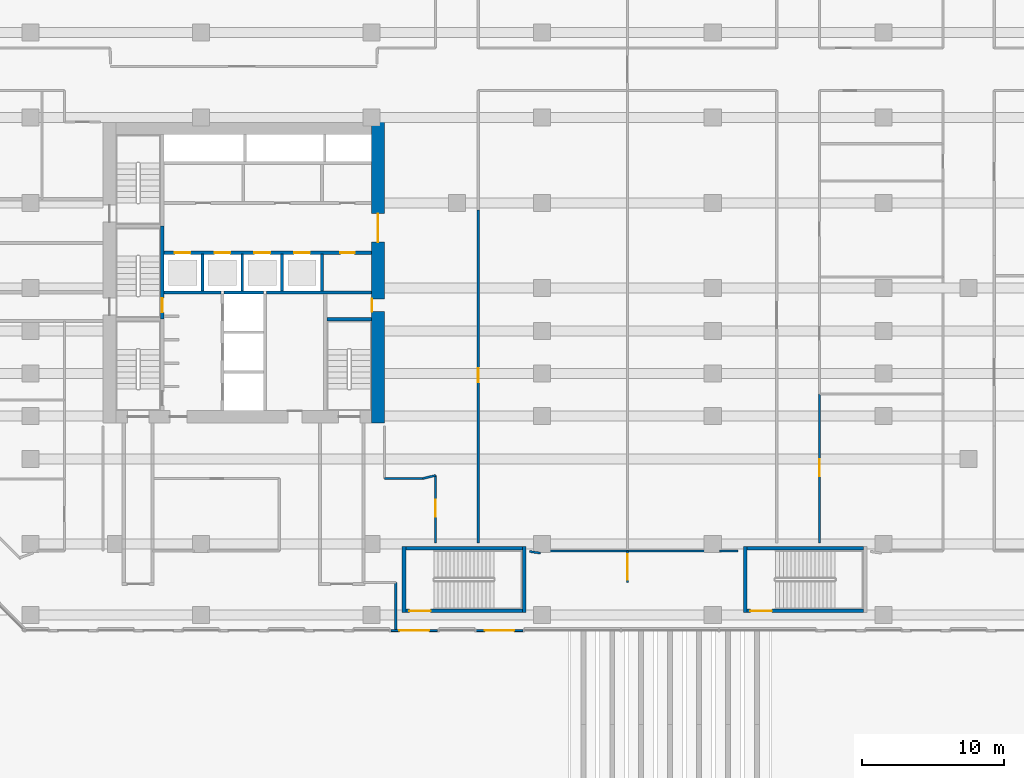
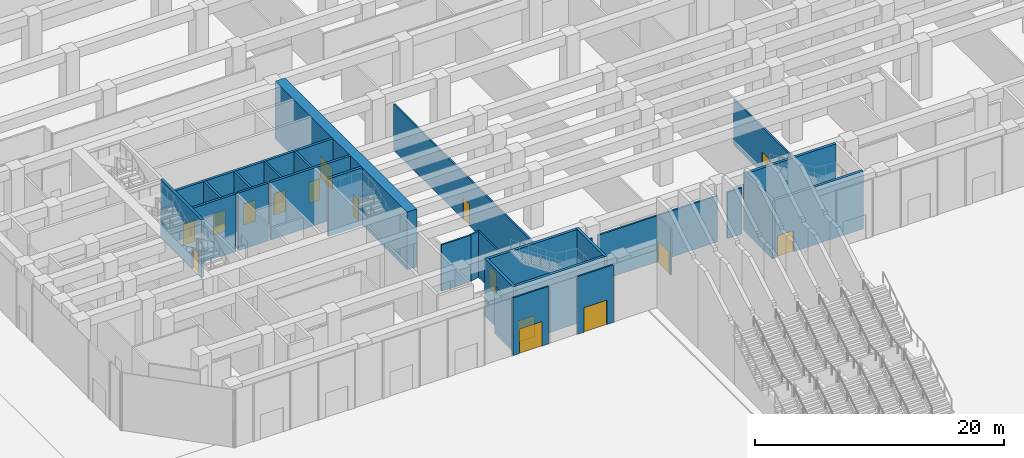
# One storey, part 18 of 32: 30 walls, 16 doors, 16 openings.
"""IFC4 building model written with IfcOpenShell, lengths in metres."""

from ifc_helpers import new_model, si_unit, direction, frame, frame_2d, origin, place, context, subcontext, project, spatial, rectangle, extrude, material, layer, layer_set, type_object, element, fill, save


model = new_model("IFC4")

# Units and contexts
model_context = context("Model", 3, precision=1e-05, world=origin(), true_north=direction((0.0, 1.0)))
body_context = subcontext(model_context, "Body", "Model", "MODEL_VIEW")
ifc_project = project(units=[si_unit("LENGTHUNIT", "METRE"), si_unit("AREAUNIT", "SQUARE_METRE"), si_unit("VOLUMEUNIT", "CUBIC_METRE"), si_unit("PLANEANGLEUNIT", "RADIAN"), si_unit("MASSUNIT", "GRAM", prefix="KILO")], contexts=[model_context])

# Site, building, storey
site_placement = place(None, origin())
site = spatial("IfcSite", under=ifc_project, at=site_placement, CompositionType="ELEMENT")
building_placement = place(site_placement, origin())
building = spatial("IfcBuilding", under=site, at=building_placement, Name="Welwitschia Terrace Campus", CompositionType="ELEMENT")
storey_placement = place(building_placement, origin())
storey = spatial("IfcBuildingStorey", under=building, at=storey_placement, Name="L00", CompositionType="ELEMENT", Elevation=0.0)

# Wall, opening, door
ifc_material_1 = material(Name="Concrete C40/50", Category="concrete")
ifc_layer_1 = layer(ifc_material_1, 0.139892578125)
ifc_layer_set_1 = layer_set([ifc_layer_1], Name="Concrete C40/50")
wall_type_1 = type_object("IfcWallType", Name="Clad wall 140", PredefinedType="SOLIDWALL", material=ifc_layer_set_1)
wall_1_placement = place(storey_placement, frame((25.35009765625, -10.0849609375, 0.0), z_axis=(0.0, 0.0, 1.0), x_axis=(1.0, 0.0, 0.0)))
wall_1 = element("IfcWall", 1, at=wall_1_placement, inside=storey, type_object=wall_type_1, Name="Clad wall L00.entrance S5", PredefinedType="SOLIDWALL", context=body_context, shape_type="SweptSolid", body=[
    extrude(rectangle(XDim=3.2998046875, YDim=0.139892578125, at=frame_2d((1.64990234375, 0.0))), origin(), (0.0, 0.0, 1.0), 5.64990234375),
])
opening_1_placement = place(wall_1_placement, frame((0.60009765625, 0.0, 0.0)))
opening_1 = element("IfcOpeningElement", 2, at=opening_1_placement, cuts=wall_1, Name="Opening DE1", PredefinedType="OPENING", context=body_context, shape_type="SweptSolid", body=[
    extrude(rectangle(XDim=2.10009765625, YDim=2.39990234375, at=frame_2d((1.050048828125, 1.199951171875))), frame((0.0, 0.079833984375, 0.0), z_axis=(0.0, -1.0, 0.0), x_axis=(1.0, 0.0, 0.0)), (0.0, 0.0, 1.0), 0.159912109375),
])
ifc_material_2 = material(Name="Bronze anodised aluminium and glass", Category="aluminium")
door_type_1 = type_object("IfcDoorType", Name="Entrance door 2100x2400", OperationType="DOUBLE_DOOR_DOUBLE_SWING", PredefinedType="DOOR", material=ifc_material_2)
door_1_placement = place(opening_1_placement, origin())
door_1 = element("IfcDoor", 3, at=door_1_placement, inside=storey, type_object=door_type_1, Name="Entrance door S5", OperationType="DOUBLE_DOOR_DOUBLE_SWING", OverallHeight=2.39990234375, OverallWidth=2.10009765625, PredefinedType="DOOR", context=body_context, shape_type="SweptSolid", body=[
    extrude(rectangle(XDim=2.10009765625, YDim=2.39990234375, at=frame_2d((1.050048828125, 1.199951171875))), frame((0.0, 0.02490234375, 0.0), z_axis=(0.0, -1.0, 0.0), x_axis=(1.0, 0.0, 0.0)), (0.0, 0.0, 1.0), 0.050048828125),
])
fill(opening_1, door_1)

wall_2_placement = place(storey_placement, frame((31.35009765625, -10.0849609375, 0.0), z_axis=(0.0, 0.0, 1.0), x_axis=(1.0, 0.0, 0.0)))
wall_2 = element("IfcWall", 4, at=wall_2_placement, inside=storey, type_object=wall_type_1, Name="Clad wall L00.entrance S6", PredefinedType="SOLIDWALL", context=body_context, shape_type="SweptSolid", body=[
    extrude(rectangle(XDim=3.2998046875, YDim=0.139892578125, at=frame_2d((1.64990234375, 0.0))), origin(), (0.0, 0.0, 1.0), 5.64990234375),
])
opening_2_placement = place(wall_2_placement, frame((0.60009765625, 0.0, 0.0)))
opening_2 = element("IfcOpeningElement", 5, at=opening_2_placement, cuts=wall_2, Name="Opening DE1", PredefinedType="OPENING", context=body_context, shape_type="SweptSolid", body=[
    extrude(rectangle(XDim=2.10009765625, YDim=2.39990234375, at=frame_2d((1.050048828125, 1.199951171875))), frame((0.0, 0.079833984375, 0.0), z_axis=(0.0, -1.0, 0.0), x_axis=(1.0, 0.0, 0.0)), (0.0, 0.0, 1.0), 0.159912109375),
])
door_2_placement = place(opening_2_placement, origin())
door_2 = element("IfcDoor", 6, at=door_2_placement, inside=storey, type_object=door_type_1, Name="Entrance door S6", OperationType="DOUBLE_DOOR_DOUBLE_SWING", OverallHeight=2.39990234375, OverallWidth=2.10009765625, PredefinedType="DOOR", context=body_context, shape_type="SweptSolid", body=[
    extrude(rectangle(XDim=2.10009765625, YDim=2.39990234375, at=frame_2d((1.050048828125, 1.199951171875))), frame((0.0, 0.02490234375, 0.0), z_axis=(0.0, -1.0, 0.0), x_axis=(1.0, 0.0, 0.0)), (0.0, 0.0, 1.0), 0.050048828125),
])
fill(opening_2, door_2)

# Walls
ifc_material_3 = material(Name="Concrete C32/40", Category="concrete")
ifc_layer_2 = layer(ifc_material_3, 0.22509765625)
ifc_layer_set_2 = layer_set([ifc_layer_2], Name="Concrete C32/40")
wall_type_2 = type_object("IfcWallType", Name="Core partition 225 Concrete C32/40", PredefinedType="PARTITIONING", material=ifc_layer_set_2)
wall_3_placement = place(storey_placement, frame((9.39990234375, 13.699951171875, 0.0), z_axis=(0.0, 0.0, 1.0), x_axis=(1.0, 0.0, 0.0)))
element("IfcWall", 7, at=wall_3_placement, inside=storey, type_object=wall_type_2, Name="Shaft wall", PredefinedType="PARTITIONING", context=body_context, shape_type="SweptSolid", body=[
    extrude(rectangle(XDim=4.0, YDim=0.22509765625, at=frame_2d((2.0, 0.0))), origin(), (0.0, 0.0, 1.0), 5.64990234375),
])
wall_4_placement = place(storey_placement, frame((16.60009765625, 13.699951171875, 0.0), z_axis=(0.0, 0.0, 1.0), x_axis=(1.0, 0.0, 0.0)))
element("IfcWall", 8, at=wall_4_placement, inside=storey, type_object=wall_type_2, Name="Shaft wall", PredefinedType="PARTITIONING", context=body_context, shape_type="SweptSolid", body=[
    extrude(rectangle(XDim=7.39990234375, YDim=0.22509765625, at=frame_2d((3.699951171875, 0.0))), origin(), (0.0, 0.0, 1.0), 5.64990234375),
])

# Wall, openings, doors
wall_5_placement = place(storey_placement, frame((9.39990234375, 16.5, 0.0), z_axis=(0.0, 0.0, 1.0), x_axis=(1.0, 0.0, 0.0)))
wall_5 = element("IfcWall", 9, at=wall_5_placement, inside=storey, type_object=wall_type_2, Name="Shaft wall", PredefinedType="PARTITIONING", context=body_context, shape_type="SweptSolid", body=[
    extrude(rectangle(XDim=14.60009765625, YDim=0.22509765625, at=frame_2d((7.300048828125, 0.0))), origin(), (0.0, 0.0, 1.0), 5.64990234375),
])
opening_3_placement = place(wall_5_placement, frame((0.75, 0.0, 0.0)))
opening_3 = element("IfcOpeningElement", 10, at=opening_3_placement, cuts=wall_5, Name="Opening LD", PredefinedType="OPENING", context=body_context, shape_type="SweptSolid", body=[
    extrude(rectangle(XDim=1.10009765625, YDim=2.10009765625, at=frame_2d((0.550048828125, 1.050048828125))), frame((0.0, 0.12255859375, 0.0), z_axis=(0.0, -1.0, 0.0), x_axis=(1.0, 0.0, 0.0)), (0.0, 0.0, 1.0), 0.2451171875),
])
opening_4_placement = place(wall_5_placement, frame((3.550048828125, 0.0, 0.0)))
opening_4 = element("IfcOpeningElement", 11, at=opening_4_placement, cuts=wall_5, Name="Opening LD", PredefinedType="OPENING", context=body_context, shape_type="SweptSolid", body=[
    extrude(rectangle(XDim=1.10009765625, YDim=2.10009765625, at=frame_2d((0.550048828125, 1.050048828125))), frame((0.0, 0.12255859375, 0.0), z_axis=(0.0, -1.0, 0.0), x_axis=(1.0, 0.0, 0.0)), (0.0, 0.0, 1.0), 0.2451171875),
])
opening_5_placement = place(wall_5_placement, frame((6.35009765625, 0.0, 0.0)))
opening_5 = element("IfcOpeningElement", 12, at=opening_5_placement, cuts=wall_5, Name="Opening LD", PredefinedType="OPENING", context=body_context, shape_type="SweptSolid", body=[
    extrude(rectangle(XDim=1.10009765625, YDim=2.10009765625, at=frame_2d((0.550048828125, 1.050048828125))), frame((0.0, 0.12255859375, 0.0), z_axis=(0.0, -1.0, 0.0), x_axis=(1.0, 0.0, 0.0)), (0.0, 0.0, 1.0), 0.2451171875),
])
opening_6_placement = place(wall_5_placement, frame((9.14990234375, 0.0, 0.0)))
opening_6 = element("IfcOpeningElement", 13, at=opening_6_placement, cuts=wall_5, Name="Opening LD", PredefinedType="OPENING", context=body_context, shape_type="SweptSolid", body=[
    extrude(rectangle(XDim=1.10009765625, YDim=2.10009765625, at=frame_2d((0.550048828125, 1.050048828125))), frame((0.0, 0.12255859375, 0.0), z_axis=(0.0, -1.0, 0.0), x_axis=(1.0, 0.0, 0.0)), (0.0, 0.0, 1.0), 0.2451171875),
])
opening_7_placement = place(wall_5_placement, frame((12.39990234375, 0.0, 0.0)))
opening_7 = element("IfcOpeningElement", 14, at=opening_7_placement, cuts=wall_5, Name="Opening DR10", PredefinedType="OPENING", context=body_context, shape_type="SweptSolid", body=[
    extrude(rectangle(XDim=1.0, YDim=2.10009765625, at=frame_2d((0.5, 1.050048828125))), frame((0.0, 0.12255859375, 0.0), z_axis=(0.0, -1.0, 0.0), x_axis=(1.0, 0.0, 0.0)), (0.0, 0.0, 1.0), 0.2451171875),
])
ifc_material_4 = material(Name="Steel S275", Category="steel")
door_type_2 = type_object("IfcDoorType", Name="Core door DR10", OperationType="SINGLE_SWING_LEFT", PredefinedType="DOOR", material=ifc_material_4)
door_3_placement = place(opening_7_placement, origin())
door_3 = element("IfcDoor", 15, at=door_3_placement, inside=storey, type_object=door_type_2, Name="Door EL-D", OperationType="SINGLE_SWING_RIGHT", OverallHeight=2.10009765625, OverallWidth=1.0, PredefinedType="DOOR", context=body_context, shape_type="SweptSolid", body=[
    extrude(rectangle(XDim=1.0, YDim=2.10009765625, at=frame_2d((0.5, 1.050048828125))), frame((0.0, 0.02490234375, 0.0), z_axis=(0.0, -1.0, 0.0), x_axis=(1.0, 0.0, 0.0)), (0.0, 0.0, 1.0), 0.050048828125),
])
fill(opening_7, door_3)
ifc_material_5 = material(Name="Stainless steel 304", Category="steel")
door_type_3 = type_object("IfcDoorType", Name="Lift landing door", OperationType="DOUBLE_DOOR_SLIDING", PredefinedType="DOOR", material=ifc_material_5)
door_4_placement = place(opening_3_placement, origin())
door_4 = element("IfcDoor", 16, at=door_4_placement, inside=storey, type_object=door_type_3, Name="Landing door LR1", OperationType="DOUBLE_DOOR_SLIDING", OverallHeight=2.10009765625, OverallWidth=1.10009765625, PredefinedType="DOOR", context=body_context, shape_type="SweptSolid", body=[
    extrude(rectangle(XDim=1.10009765625, YDim=2.10009765625, at=frame_2d((0.550048828125, 1.050048828125))), frame((0.0, 0.02490234375, 0.0), z_axis=(0.0, -1.0, 0.0), x_axis=(1.0, 0.0, 0.0)), (0.0, 0.0, 1.0), 0.050048828125),
])
fill(opening_3, door_4)
door_5_placement = place(opening_4_placement, origin())
door_5 = element("IfcDoor", 17, at=door_5_placement, inside=storey, type_object=door_type_3, Name="Landing door LR2", OperationType="DOUBLE_DOOR_SLIDING", OverallHeight=2.10009765625, OverallWidth=1.10009765625, PredefinedType="DOOR", context=body_context, shape_type="SweptSolid", body=[
    extrude(rectangle(XDim=1.10009765625, YDim=2.10009765625, at=frame_2d((0.550048828125, 1.050048828125))), frame((0.0, 0.02490234375, 0.0), z_axis=(0.0, -1.0, 0.0), x_axis=(1.0, 0.0, 0.0)), (0.0, 0.0, 1.0), 0.050048828125),
])
fill(opening_4, door_5)
door_6_placement = place(opening_5_placement, origin())
door_6 = element("IfcDoor", 18, at=door_6_placement, inside=storey, type_object=door_type_3, Name="Landing door LR3", OperationType="DOUBLE_DOOR_SLIDING", OverallHeight=2.10009765625, OverallWidth=1.10009765625, PredefinedType="DOOR", context=body_context, shape_type="SweptSolid", body=[
    extrude(rectangle(XDim=1.10009765625, YDim=2.10009765625, at=frame_2d((0.550048828125, 1.050048828125))), frame((0.0, 0.02490234375, 0.0), z_axis=(0.0, -1.0, 0.0), x_axis=(1.0, 0.0, 0.0)), (0.0, 0.0, 1.0), 0.050048828125),
])
fill(opening_5, door_6)
door_7_placement = place(opening_6_placement, origin())
door_7 = element("IfcDoor", 19, at=door_7_placement, inside=storey, type_object=door_type_3, Name="Landing door LR4", OperationType="DOUBLE_DOOR_SLIDING", OverallHeight=2.10009765625, OverallWidth=1.10009765625, PredefinedType="DOOR", context=body_context, shape_type="SweptSolid", body=[
    extrude(rectangle(XDim=1.10009765625, YDim=2.10009765625, at=frame_2d((0.550048828125, 1.050048828125))), frame((0.0, 0.02490234375, 0.0), z_axis=(0.0, -1.0, 0.0), x_axis=(1.0, 0.0, 0.0)), (0.0, 0.0, 1.0), 0.050048828125),
])
fill(opening_6, door_7)

# Walls
wall_6_placement = place(storey_placement, frame((20.5, 13.800048828125, 0.0), z_axis=(0.0, 0.0, 1.0), x_axis=(0.0, 1.0, 0.0)))
element("IfcWall", 20, at=wall_6_placement, inside=storey, type_object=wall_type_2, Name="Shaft wall", PredefinedType="PARTITIONING", context=body_context, shape_type="SweptSolid", body=[
    extrude(rectangle(XDim=2.599853515625, YDim=0.22509765625, at=frame_2d((1.2998046875, 0.0))), origin(), (0.0, 0.0, 1.0), 5.64990234375),
])
ifc_material_6 = material(Name="Concrete C50/60", Category="concrete")
ifc_layer_3 = layer(ifc_material_6, 0.199951171875)
ifc_layer_set_3 = layer_set([ifc_layer_3], Name="Concrete C50/60")
wall_type_3 = type_object("IfcWallType", Name="Core wall 200 Concrete C50/60", PredefinedType="SHEAR", material=ifc_layer_set_3)
wall_7_placement = place(storey_placement, frame((13.60009765625, 13.699951171875, 0.0), z_axis=(0.0, 0.0, 1.0), x_axis=(1.0, 0.0, 0.0)))
element("IfcWall", 21, at=wall_7_placement, inside=storey, type_object=wall_type_3, Name="Core wall", PredefinedType="SHEAR", context=body_context, shape_type="SweptSolid", body=[
    extrude(rectangle(XDim=2.7998046875, YDim=0.199951171875, at=frame_2d((1.39990234375, 0.0))), origin(), (0.0, 0.0, 1.0), 5.64990234375),
])
ifc_material_7 = material(Name="Concrete C50/60", Category="concrete")
ifc_layer_4 = layer(ifc_material_7, 0.25)
ifc_layer_set_4 = layer_set([ifc_layer_4], Name="Concrete C50/60")
wall_type_4 = type_object("IfcWallType", Name="Core wall 250 Concrete C50/60", PredefinedType="SHEAR", material=ifc_layer_set_4)
wall_8_placement = place(storey_placement, frame((20.85009765625, 11.824951171875, 0.0), z_axis=(0.0, 0.0, 1.0), x_axis=(1.0, 0.0, 0.0)))
element("IfcWall", 22, at=wall_8_placement, inside=storey, type_object=wall_type_4, Name="Core wall", PredefinedType="SHEAR", context=body_context, shape_type="SweptSolid", body=[
    extrude(rectangle(XDim=3.14990234375, YDim=0.25, at=frame_2d((1.574951171875, 0.0))), origin(), (0.0, 0.0, 1.0), 5.64990234375),
])

# Wall, opening, door
wall_9_placement = place(storey_placement, frame((9.27490234375, 18.375, 0.0), z_axis=(0.0, 0.0, 1.0), x_axis=(0.0, -1.0, 0.0)))
wall_9 = element("IfcWall", 23, at=wall_9_placement, inside=storey, type_object=wall_type_4, Name="Core wall", PredefinedType="SHEAR", context=body_context, shape_type="SweptSolid", body=[
    extrude(rectangle(XDim=6.550048828125, YDim=0.25, at=frame_2d((3.27490234375, 0.0))), origin(), (0.0, 0.0, 1.0), 5.64990234375),
])
opening_8_placement = place(wall_9_placement, frame((5.074951171875, 0.0, 0.0)))
opening_8 = element("IfcOpeningElement", 24, at=opening_8_placement, cuts=wall_9, Name="Opening DS10", PredefinedType="OPENING", context=body_context, shape_type="SweptSolid", body=[
    extrude(rectangle(XDim=1.0, YDim=2.10009765625, at=frame_2d((0.5, 1.050048828125))), frame((0.0, 0.135009765625, 0.0), z_axis=(0.0, -1.0, 0.0), x_axis=(1.0, 0.0, 0.0)), (0.0, 0.0, 1.0), 0.27001953125),
])
ifc_material_8 = material(Name="Steel S275", Category="steel")
door_type_4 = type_object("IfcDoorType", Name="Core door DS10", OperationType="SINGLE_SWING_LEFT", PredefinedType="DOOR", material=ifc_material_8)
door_8_placement = place(opening_8_placement, origin())
door_8 = element("IfcDoor", 25, at=door_8_placement, inside=storey, type_object=door_type_4, Name="Door S3-FL", OperationType="SINGLE_SWING_RIGHT", OverallHeight=2.10009765625, OverallWidth=1.0, PredefinedType="DOOR", context=body_context, shape_type="SweptSolid", body=[
    extrude(rectangle(XDim=1.0, YDim=2.10009765625, at=frame_2d((0.5, 1.050048828125))), frame((0.0, 0.02490234375, 0.0), z_axis=(0.0, -1.0, 0.0), x_axis=(1.0, 0.0, 0.0)), (0.0, 0.0, 1.0), 0.050048828125),
])
fill(opening_8, door_8)

# Walls
for number, where, z_axis, x_axis, name in (
    (26, (26.27490234375, -8.824951171875, 0.0), (0.0, 0.0, 1.0), (0.0, 1.0, 0.0), "Core wall"),
    (27, (34.72509765625, -8.824951171875, 0.0), (0.0, 0.0, 1.0), (0.0, 1.0, 0.0), "Core wall"),
):
    element("IfcWall", number, at=place(storey_placement, frame(where, z_axis=z_axis, x_axis=x_axis)), inside=storey, type_object=wall_type_4, Name=name, PredefinedType="SHEAR", context=body_context, shape_type="SweptSolid", body=[
        extrude(rectangle(XDim=4.64990234375, YDim=0.25, at=frame_2d((2.324951171875, 0.0))), origin(), (0.0, 0.0, 1.0), 5.64990234375),
    ])

# Wall, opening, door
wall_10_placement = place(storey_placement, frame((34.60009765625, -8.699951171875, 0.0), z_axis=(0.0, 0.0, 1.0), x_axis=(-1.0, 0.0, 0.0)))
wall_10 = element("IfcWall", 28, at=wall_10_placement, inside=storey, type_object=wall_type_4, Name="Core wall", PredefinedType="SHEAR", context=body_context, shape_type="SweptSolid", body=[
    extrude(rectangle(XDim=8.2001953125, YDim=0.25, at=frame_2d((4.10009765625, 0.0))), origin(), (0.0, 0.0, 1.0), 5.64990234375),
])
opening_9_placement = place(wall_10_placement, frame((6.449951171875, 0.0, 0.0)))
opening_9 = element("IfcOpeningElement", 29, at=opening_9_placement, cuts=wall_10, Name="Opening DS15", PredefinedType="OPENING", context=body_context, shape_type="SweptSolid", body=[
    extrude(rectangle(XDim=1.5, YDim=2.10009765625, at=frame_2d((0.75, 1.050048828125))), frame((0.0, 0.135009765625, 0.0), z_axis=(0.0, -1.0, 0.0), x_axis=(1.0, 0.0, 0.0)), (0.0, 0.0, 1.0), 0.27001953125),
])
ifc_material_9 = material(Name="Steel S275", Category="steel")
door_type_5 = type_object("IfcDoorType", Name="Core door DS15", OperationType="DOUBLE_DOOR_SINGLE_SWING", PredefinedType="DOOR", material=ifc_material_9)
door_9_placement = place(opening_9_placement, origin())
door_9 = element("IfcDoor", 30, at=door_9_placement, inside=storey, type_object=door_type_5, Name="Door P1", OperationType="DOUBLE_DOOR_SINGLE_SWING", OverallHeight=2.10009765625, OverallWidth=1.5, PredefinedType="DOOR", context=body_context, shape_type="SweptSolid", body=[
    extrude(rectangle(XDim=1.5, YDim=2.10009765625, at=frame_2d((0.75, 1.050048828125))), frame((0.0, 0.02490234375, 0.0), z_axis=(0.0, -1.0, 0.0), x_axis=(1.0, 0.0, 0.0)), (0.0, 0.0, 1.0), 0.050048828125),
])
fill(opening_9, door_9)

# Walls
wall_11_placement = place(storey_placement, frame((26.39990234375, -4.300048828125, 0.0), z_axis=(0.0, 0.0, 1.0), x_axis=(1.0, 0.0, 0.0)))
element("IfcWall", 31, at=wall_11_placement, inside=storey, type_object=wall_type_4, Name="Core wall", PredefinedType="SHEAR", context=body_context, shape_type="SweptSolid", body=[
    extrude(rectangle(XDim=8.2001953125, YDim=0.25, at=frame_2d((4.10009765625, 0.0))), origin(), (0.0, 0.0, 1.0), 5.64990234375),
])
wall_12_placement = place(storey_placement, frame((50.27490234375, -8.824951171875, 0.0), z_axis=(0.0, 0.0, 1.0), x_axis=(0.0, 1.0, 0.0)))
element("IfcWall", 32, at=wall_12_placement, inside=storey, type_object=wall_type_4, Name="Core wall", PredefinedType="SHEAR", context=body_context, shape_type="SweptSolid", body=[
    extrude(rectangle(XDim=4.64990234375, YDim=0.25, at=frame_2d((2.324951171875, 0.0))), origin(), (0.0, 0.0, 1.0), 5.64990234375),
])

# Wall, opening, door
wall_13_placement = place(storey_placement, frame((58.60009765625, -8.699951171875, 0.0), z_axis=(0.0, 0.0, 1.0), x_axis=(-1.0, 0.0, 0.0)))
wall_13 = element("IfcWall", 33, at=wall_13_placement, inside=storey, type_object=wall_type_4, Name="Core wall", PredefinedType="SHEAR", context=body_context, shape_type="SweptSolid", body=[
    extrude(rectangle(XDim=8.2001953125, YDim=0.25, at=frame_2d((4.10009765625, 0.0))), origin(), (0.0, 0.0, 1.0), 5.64990234375),
])
opening_10_placement = place(wall_13_placement, frame((6.449951171875, 0.0, 0.0)))
opening_10 = element("IfcOpeningElement", 34, at=opening_10_placement, cuts=wall_13, Name="Opening DS15", PredefinedType="OPENING", context=body_context, shape_type="SweptSolid", body=[
    extrude(rectangle(XDim=1.5, YDim=2.10009765625, at=frame_2d((0.75, 1.050048828125))), frame((0.0, 0.135009765625, 0.0), z_axis=(0.0, -1.0, 0.0), x_axis=(1.0, 0.0, 0.0)), (0.0, 0.0, 1.0), 0.27001953125),
])
door_10_placement = place(opening_10_placement, origin())
door_10 = element("IfcDoor", 35, at=door_10_placement, inside=storey, type_object=door_type_5, Name="Door P2", OperationType="DOUBLE_DOOR_SINGLE_SWING", OverallHeight=2.10009765625, OverallWidth=1.5, PredefinedType="DOOR", context=body_context, shape_type="SweptSolid", body=[
    extrude(rectangle(XDim=1.5, YDim=2.10009765625, at=frame_2d((0.75, 1.050048828125))), frame((0.0, 0.02490234375, 0.0), z_axis=(0.0, -1.0, 0.0), x_axis=(1.0, 0.0, 0.0)), (0.0, 0.0, 1.0), 0.050048828125),
])
fill(opening_10, door_10)

# Wall
wall_14_placement = place(storey_placement, frame((50.39990234375, -4.300048828125, 0.0), z_axis=(0.0, 0.0, 1.0), x_axis=(1.0, 0.0, 0.0)))
element("IfcWall", 36, at=wall_14_placement, inside=storey, type_object=wall_type_4, Name="Core wall", PredefinedType="SHEAR", context=body_context, shape_type="SweptSolid", body=[
    extrude(rectangle(XDim=8.2001953125, YDim=0.25, at=frame_2d((4.10009765625, 0.0))), origin(), (0.0, 0.0, 1.0), 5.64990234375),
])

# Wall, openings, doors
ifc_material_10 = material(Name="Concrete C70/85", Category="concrete")
ifc_layer_5 = layer(ifc_material_10, 0.89990234375)
ifc_layer_set_5 = layer_set([ifc_layer_5], Name="Concrete C70/85")
wall_type_5 = type_object("IfcWallType", Name="Core wall 900 Concrete C70/85", PredefinedType="SHEAR", material=ifc_layer_set_5)
wall_15_placement = place(storey_placement, frame((24.449951171875, 25.699951171875, 0.0), z_axis=(0.0, 0.0, 1.0), x_axis=(0.0, -1.0, 0.0)))
wall_15 = element("IfcWall", 37, at=wall_15_placement, inside=storey, type_object=wall_type_5, Name="Core outer wall", PredefinedType="SHEAR", context=body_context, shape_type="SweptSolid", body=[
    extrude(rectangle(XDim=21.199951171875, YDim=0.89990234375, at=frame_2d((10.60009765625, 0.0))), origin(), (0.0, 0.0, 1.0), 5.64990234375),
])
opening_11_placement = place(wall_15_placement, frame((12.449951171875, 0.0, 0.0)))
opening_11 = element("IfcOpeningElement", 38, at=opening_11_placement, cuts=wall_15, Name="Opening DR09", PredefinedType="OPENING", context=body_context, shape_type="SweptSolid", body=[
    extrude(rectangle(XDim=0.89990234375, YDim=2.10009765625, at=frame_2d((0.449951171875, 1.050048828125))), frame((0.0, 0.4599609375, 0.0), z_axis=(0.0, -1.0, 0.0), x_axis=(1.0, 0.0, 0.0)), (0.0, 0.0, 1.0), 0.919921875),
])
opening_12_placement = place(wall_15_placement, frame((6.449951171875, 0.0, 0.0)))
opening_12 = element("IfcOpeningElement", 39, at=opening_12_placement, cuts=wall_15, Name="Opening DL20", PredefinedType="OPENING", context=body_context, shape_type="SweptSolid", body=[
    extrude(rectangle(XDim=2.0, YDim=2.10009765625, at=frame_2d((1.0, 1.050048828125))), frame((0.0, 0.4599609375, 0.0), z_axis=(0.0, -1.0, 0.0), x_axis=(1.0, 0.0, 0.0)), (0.0, 0.0, 1.0), 0.919921875),
])
ifc_material_11 = material(Name="Steel S275", Category="steel")
door_type_6 = type_object("IfcDoorType", Name="Core door DL20", OperationType="DOUBLE_DOOR_SINGLE_SWING", PredefinedType="DOOR", material=ifc_material_11)
door_11_placement = place(opening_12_placement, origin())
door_11 = element("IfcDoor", 40, at=door_11_placement, inside=storey, type_object=door_type_6, Name="Door LOBBY-out", OperationType="DOUBLE_DOOR_SINGLE_SWING", OverallHeight=2.10009765625, OverallWidth=2.0, PredefinedType="DOOR", context=body_context, shape_type="SweptSolid", body=[
    extrude(rectangle(XDim=2.0, YDim=2.10009765625, at=frame_2d((1.0, 1.050048828125))), frame((0.0, 0.02490234375, 0.0), z_axis=(0.0, -1.0, 0.0), x_axis=(1.0, 0.0, 0.0)), (0.0, 0.0, 1.0), 0.050048828125),
])
fill(opening_12, door_11)
ifc_material_12 = material(Name="Steel S275", Category="steel")
door_type_7 = type_object("IfcDoorType", Name="Core door DR09", OperationType="SINGLE_SWING_LEFT", PredefinedType="DOOR", material=ifc_material_12)
door_12_placement = place(opening_11_placement, origin())
door_12 = element("IfcDoor", 41, at=door_12_placement, inside=storey, type_object=door_type_7, Name="Door F1B-out", OperationType="SINGLE_SWING_RIGHT", OverallHeight=2.10009765625, OverallWidth=0.89990234375, PredefinedType="DOOR", context=body_context, shape_type="SweptSolid", body=[
    extrude(rectangle(XDim=0.89990234375, YDim=2.10009765625, at=frame_2d((0.449951171875, 1.050048828125))), frame((0.0, -0.39013671875, 0.0), z_axis=(0.0, -1.0, 0.0), x_axis=(1.0, 0.0, 0.0)), (0.0, 0.0, 1.0), 0.050048828125),
])
fill(opening_11, door_12)

# Walls
ifc_material_13 = material(Name="Gypsum board on steel studs", Category="steel")
ifc_layer_6 = layer(ifc_material_13, 0.14990234375)
ifc_layer_set_6 = layer_set([ifc_layer_6], Name="Gypsum board on steel studs")
wall_type_6 = type_object("IfcWallType", Name="Corridor partition 150 EI 30", PredefinedType="PARTITIONING", material=ifc_layer_set_6)
wall_16_placement = place(storey_placement, frame((24.89990234375, 0.60009765625, 0.0), z_axis=(0.0, 0.0, 1.0), x_axis=(1.0, 0.0, 0.0)))
element("IfcWall", 42, at=wall_16_placement, inside=storey, type_object=wall_type_6, Name="Partition", PredefinedType="PARTITIONING", context=body_context, shape_type="SweptSolid", body=[
    extrude(rectangle(XDim=2.7001953125, YDim=0.14990234375, at=frame_2d((1.35009765625, 0.0))), origin(), (0.0, 0.0, 1.0), 4.530029296875),
])
wall_17_placement = place(storey_placement, frame((25.699951171875, -10.030029296875, 0.0), z_axis=(0.0, 0.0, 1.0), x_axis=(0.0, 1.0, 0.0)))
element("IfcWall", 43, at=wall_17_placement, inside=storey, type_object=wall_type_6, Name="Partition", PredefinedType="PARTITIONING", context=body_context, shape_type="SweptSolid", body=[
    extrude(rectangle(XDim=3.330078125, YDim=0.14990234375, at=frame_2d((1.6650390625, 0.0))), origin(), (0.0, 0.0, 1.0), 4.530029296875),
])
wall_18_placement = place(storey_placement, frame((27.60009765625, 0.610107421875, 0.0), z_axis=(0.0, 0.0, 1.0), x_axis=(0.971400357327, 0.237447564284, 0.0)))
element("IfcWall", 44, at=wall_18_placement, inside=storey, type_object=wall_type_6, Name="Partition", PredefinedType="PARTITIONING", context=body_context, shape_type="SweptSolid", body=[
    extrude(rectangle(XDim=0.926513671875, YDim=0.14990234375, at=frame_2d((0.46337890625, 0.0))), origin(), (0.0, 0.0, 1.0), 4.530029296875),
])

# Wall, opening, door
wall_19_placement = place(storey_placement, frame((28.5, -3.919921875, 0.0), z_axis=(0.0, 0.0, 1.0), x_axis=(0.0, 1.0, 0.0)))
wall_19 = element("IfcWall", 45, at=wall_19_placement, inside=storey, type_object=wall_type_6, Name="Partition", PredefinedType="PARTITIONING", context=body_context, shape_type="SweptSolid", body=[
    extrude(rectangle(XDim=4.739990234375, YDim=0.14990234375, at=frame_2d((2.3701171875, 0.0))), origin(), (0.0, 0.0, 1.0), 4.530029296875),
])
opening_13_placement = place(wall_19_placement, frame((1.840087890625, 0.0, 0.0)))
opening_13 = element("IfcOpeningElement", 46, at=opening_13_placement, cuts=wall_19, Name="Opening DX12", PredefinedType="OPENING", context=body_context, shape_type="SweptSolid", body=[
    extrude(rectangle(XDim=1.199951171875, YDim=2.10009765625, at=frame_2d((0.60009765625, 1.050048828125))), frame((0.0, 0.0849609375, 0.0), z_axis=(0.0, -1.0, 0.0), x_axis=(1.0, 0.0, 0.0)), (0.0, 0.0, 1.0), 0.169921875),
])
ifc_material_14 = material(Name="Timber veneered door", Category="wood")
door_type_8 = type_object("IfcDoorType", Name="Interior door DX12", OperationType="NOTDEFINED", PredefinedType="DOOR", material=ifc_material_14)
door_13_placement = place(opening_13_placement, origin())
door_13 = element("IfcDoor", 47, at=door_13_placement, inside=storey, type_object=door_type_8, Name="Door L00 024", OperationType="SINGLE_SWING_LEFT", OverallHeight=2.10009765625, OverallWidth=1.199951171875, PredefinedType="DOOR", context=body_context, shape_type="SweptSolid", body=[
    extrude(rectangle(XDim=1.199951171875, YDim=2.10009765625, at=frame_2d((0.60009765625, 1.050048828125))), frame((0.0, 0.02490234375, 0.0), z_axis=(0.0, -1.0, 0.0), x_axis=(1.0, 0.0, 0.0)), (0.0, 0.0, 1.0), 0.050048828125),
])
fill(opening_13, door_13)

wall_20_placement = place(storey_placement, frame((31.5, 19.52001953125, 0.0), z_axis=(0.0, 0.0, 1.0), x_axis=(0.0, -1.0, 0.0)))
wall_20 = element("IfcWall", 48, at=wall_20_placement, inside=storey, type_object=wall_type_6, Name="Partition", PredefinedType="PARTITIONING", context=body_context, shape_type="SweptSolid", body=[
    extrude(rectangle(XDim=23.43994140625, YDim=0.14990234375, at=frame_2d((11.719970703125, 0.0))), origin(), (0.0, 0.0, 1.0), 4.530029296875),
])
opening_14_placement = place(wall_20_placement, frame((11.139892578125, 0.0, 0.0)))
opening_14 = element("IfcOpeningElement", 49, at=opening_14_placement, cuts=wall_20, Name="Opening DI10", PredefinedType="OPENING", context=body_context, shape_type="SweptSolid", body=[
    extrude(rectangle(XDim=1.0, YDim=2.10009765625, at=frame_2d((0.5, 1.050048828125))), frame((0.0, 0.0849609375, 0.0), z_axis=(0.0, -1.0, 0.0), x_axis=(1.0, 0.0, 0.0)), (0.0, 0.0, 1.0), 0.169921875),
])
ifc_material_15 = material(Name="Timber veneered door", Category="wood")
door_type_9 = type_object("IfcDoorType", Name="Interior door DI10", OperationType="NOTDEFINED", PredefinedType="DOOR", material=ifc_material_15)
door_14_placement = place(opening_14_placement, origin())
door_14 = element("IfcDoor", 50, at=door_14_placement, inside=storey, type_object=door_type_9, Name="Door L00 027", OperationType="SINGLE_SWING_RIGHT", OverallHeight=2.10009765625, OverallWidth=1.0, PredefinedType="DOOR", context=body_context, shape_type="SweptSolid", body=[
    extrude(rectangle(XDim=1.0, YDim=2.10009765625, at=frame_2d((0.5, 1.050048828125))), frame((0.0, 0.02490234375, 0.0), z_axis=(0.0, -1.0, 0.0), x_axis=(1.0, 0.0, 0.0)), (0.0, 0.0, 1.0), 0.050048828125),
])
fill(opening_14, door_14)

# Walls
wall_21_placement = place(storey_placement, frame((35.10009765625, -4.52001953125, 0.0), z_axis=(0.0, 0.0, 1.0), x_axis=(0.988098486873, -0.153822560892, 0.0)))
element("IfcWall", 51, at=wall_21_placement, inside=storey, type_object=wall_type_6, Name="Partition", PredefinedType="PARTITIONING", context=body_context, shape_type="SweptSolid", body=[
    extrude(rectangle(XDim=0.779296875, YDim=0.14990234375, at=frame_2d((0.3896484375, 0.0))), origin(), (0.0, 0.0, 1.0), 4.530029296875),
])
wall_22_placement = place(storey_placement, frame((36.4599609375, -4.5, 0.0), z_axis=(0.0, 0.0, 1.0), x_axis=(1.0, 0.0, 0.0)))
element("IfcWall", 52, at=wall_22_placement, inside=storey, type_object=wall_type_6, Name="Partition", PredefinedType="PARTITIONING", context=body_context, shape_type="SweptSolid", body=[
    extrude(rectangle(XDim=11.080078125, YDim=0.14990234375, at=frame_2d((5.5400390625, 0.0))), origin(), (0.0, 0.0, 1.0), 4.530029296875),
])

# Wall, opening, door
wall_23_placement = place(storey_placement, frame((42.0, -4.5, 0.0), z_axis=(0.0, 0.0, 1.0), x_axis=(0.0, -1.0, 0.0)))
wall_23 = element("IfcWall", 53, at=wall_23_placement, inside=storey, type_object=wall_type_6, Name="Partition", PredefinedType="PARTITIONING", context=body_context, shape_type="SweptSolid", body=[
    extrude(rectangle(XDim=2.199951171875, YDim=0.14990234375, at=frame_2d((1.10009765625, 0.0))), origin(), (0.0, 0.0, 1.0), 4.530029296875),
])
opening_15_placement = place(wall_23_placement, frame((0.199951171875, 0.0, 0.0)))
opening_15 = element("IfcOpeningElement", 54, at=opening_15_placement, cuts=wall_23, Name="Opening DF18", PredefinedType="OPENING", context=body_context, shape_type="SweptSolid", body=[
    extrude(rectangle(XDim=1.800048828125, YDim=2.10009765625, at=frame_2d((0.89990234375, 1.050048828125))), frame((0.0, 0.0849609375, 0.0), z_axis=(0.0, -1.0, 0.0), x_axis=(1.0, 0.0, 0.0)), (0.0, 0.0, 1.0), 0.169921875),
])
ifc_material_16 = material(Name="Timber veneered door", Category="wood")
door_type_10 = type_object("IfcDoorType", Name="Interior door DF18", OperationType="DOUBLE_DOOR_SINGLE_SWING", PredefinedType="DOOR", material=ifc_material_16)
door_15_placement = place(opening_15_placement, origin())
door_15 = element("IfcDoor", 55, at=door_15_placement, inside=storey, type_object=door_type_10, Name="Door L00 031", OperationType="SINGLE_SWING_LEFT", OverallHeight=2.10009765625, OverallWidth=1.800048828125, PredefinedType="DOOR", context=body_context, shape_type="SweptSolid", body=[
    extrude(rectangle(XDim=1.800048828125, YDim=2.10009765625, at=frame_2d((0.89990234375, 1.050048828125))), frame((0.0, 0.02490234375, 0.0), z_axis=(0.0, -1.0, 0.0), x_axis=(1.0, 0.0, 0.0)), (0.0, 0.0, 1.0), 0.050048828125),
])
fill(opening_15, door_15)

# Wall
wall_24_placement = place(storey_placement, frame((48.4599609375, -4.5, 0.0), z_axis=(0.0, 0.0, 1.0), x_axis=(1.0, 0.0, 0.0)))
element("IfcWall", 56, at=wall_24_placement, inside=storey, type_object=wall_type_6, Name="Partition", PredefinedType="PARTITIONING", context=body_context, shape_type="SweptSolid", body=[
    extrude(rectangle(XDim=1.320068359375, YDim=0.14990234375, at=frame_2d((0.66015625, 0.0))), origin(), (0.0, 0.0, 1.0), 4.530029296875),
])

# Wall, opening, door
wall_25_placement = place(storey_placement, frame((55.5, 6.570068359375, 0.0), z_axis=(0.0, 0.0, 1.0), x_axis=(0.0, -1.0, 0.0)))
wall_25 = element("IfcWall", 57, at=wall_25_placement, inside=storey, type_object=wall_type_6, Name="Partition", PredefinedType="PARTITIONING", context=body_context, shape_type="SweptSolid", body=[
    extrude(rectangle(XDim=10.489990234375, YDim=0.14990234375, at=frame_2d((5.2451171875, 0.0))), origin(), (0.0, 0.0, 1.0), 4.530029296875),
])
opening_16_placement = place(wall_25_placement, frame((4.590087890625, 0.0, 0.0)))
opening_16 = element("IfcOpeningElement", 58, at=opening_16_placement, cuts=wall_25, Name="Opening DI12", PredefinedType="OPENING", context=body_context, shape_type="SweptSolid", body=[
    extrude(rectangle(XDim=1.199951171875, YDim=2.10009765625, at=frame_2d((0.60009765625, 1.050048828125))), frame((0.0, 0.0849609375, 0.0), z_axis=(0.0, -1.0, 0.0), x_axis=(1.0, 0.0, 0.0)), (0.0, 0.0, 1.0), 0.169921875),
])
ifc_material_17 = material(Name="Timber veneered door", Category="wood")
door_type_11 = type_object("IfcDoorType", Name="Interior door DI12", OperationType="NOTDEFINED", PredefinedType="DOOR", material=ifc_material_17)
door_16_placement = place(opening_16_placement, origin())
door_16 = element("IfcDoor", 59, at=door_16_placement, inside=storey, type_object=door_type_11, Name="Door L00 037", OperationType="SINGLE_SWING_RIGHT", OverallHeight=2.10009765625, OverallWidth=1.199951171875, PredefinedType="DOOR", context=body_context, shape_type="SweptSolid", body=[
    extrude(rectangle(XDim=1.199951171875, YDim=2.10009765625, at=frame_2d((0.60009765625, 1.050048828125))), frame((0.0, 0.02490234375, 0.0), z_axis=(0.0, -1.0, 0.0), x_axis=(1.0, 0.0, 0.0)), (0.0, 0.0, 1.0), 0.050048828125),
])
fill(opening_16, door_16)

# Walls
ifc_material_18 = material(Name="Concrete C32/40", Category="concrete")
ifc_layer_7 = layer(ifc_material_18, 0.199951171875)
ifc_layer_set_7 = layer_set([ifc_layer_7], Name="Concrete C32/40")
wall_type_7 = type_object("IfcWallType", Name="Shaft wall 200 Concrete C32/40", PredefinedType="SOLIDWALL", material=ifc_layer_set_7)
for number, where, z_axis, x_axis, name in (
    (60, (12.10009765625, 13.800048828125, 0.0), (0.0, 0.0, 1.0), (0.0, 1.0, 0.0), "Shaft wall"),
    (61, (14.89990234375, 13.800048828125, 0.0), (0.0, 0.0, 1.0), (0.0, 1.0, 0.0), "Shaft wall"),
    (62, (17.699951171875, 13.800048828125, 0.0), (0.0, 0.0, 1.0), (0.0, 1.0, 0.0), "Shaft wall"),
):
    element("IfcWall", number, at=place(storey_placement, frame(where, z_axis=z_axis, x_axis=x_axis)), inside=storey, type_object=wall_type_7, Name=name, PredefinedType="SOLIDWALL", context=body_context, shape_type="SweptSolid", body=[
        extrude(rectangle(XDim=2.599853515625, YDim=0.199951171875, at=frame_2d((1.2998046875, 0.0))), origin(), (0.0, 0.0, 1.0), 5.64990234375),
    ])

save(model, "model.ifc")
